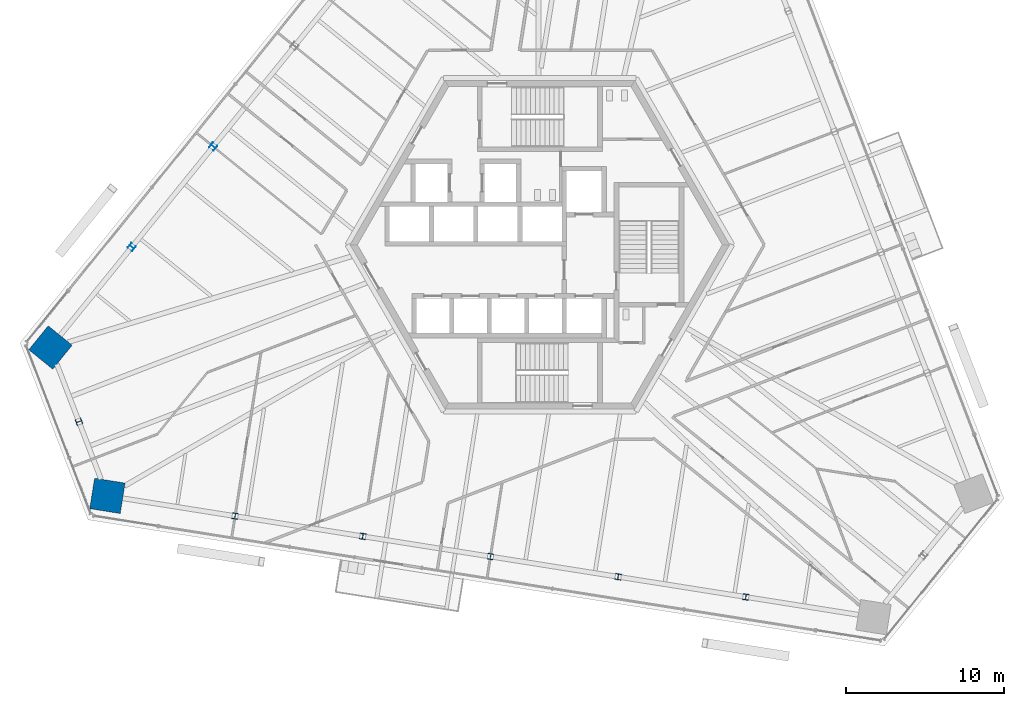
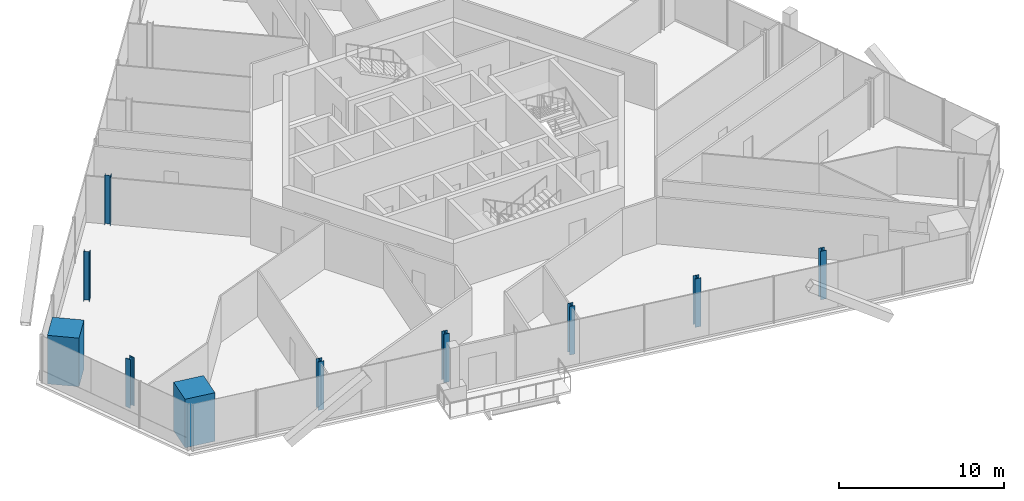
# One storey, part 1 of 19: 10 columns.
"""IFC4 building model written with IfcOpenShell, lengths in metres."""

from ifc_helpers import new_model, si_unit, direction, frame, origin, origin_2d, place, context, subcontext, project, spatial, rectangle, i_section, extrude, source, transform, mapped, material, material_profile, profile_set, type_object, element, save


model = new_model("IFC4")

# Units and contexts
model_context = context("Model", 3, precision=1e-05, world=origin(), true_north=direction((0.0, 1.0)))
body_context = subcontext(model_context, "Body", "Model", "MODEL_VIEW")
ifc_project = project(units=[si_unit("LENGTHUNIT", "METRE"), si_unit("AREAUNIT", "SQUARE_METRE"), si_unit("VOLUMEUNIT", "CUBIC_METRE"), si_unit("PLANEANGLEUNIT", "RADIAN"), si_unit("MASSUNIT", "GRAM", prefix="KILO")], contexts=[model_context])

# Site, building, storey
site_placement = place(None, origin())
site = spatial("IfcSite", under=ifc_project, at=site_placement, CompositionType="ELEMENT")
building_placement = place(site_placement, origin())
building = spatial("IfcBuilding", under=site, at=building_placement, Name="Triune Harvest Tower", CompositionType="ELEMENT")
storey_placement = place(building_placement, frame((0.0, 0.0, 142.5)))
storey = spatial("IfcBuildingStorey", under=building, at=storey_placement, Name="L36", CompositionType="ELEMENT", Elevation=142.5)

# Columns
ifc_material_1 = material(Name="Concrete 70 MPa", Category="concrete")
ifc_material_profile_1 = material_profile(ifc_material_1, rectangle(XDim=1.949951171875, YDim=1.949951171875, at=origin_2d()), Name="Composite 1950x1950")
ifc_profile_set_1 = profile_set([ifc_material_profile_1], Name="Concrete 70 MPa")
column_type_1 = type_object("IfcColumnType", Name="MC-4 Mega column Composite 1950x1950", PredefinedType="COLUMN", material=ifc_profile_set_1)
shared_shape_1 = source(origin(), body_context, "Body", "SweptSolid", [
    extrude(rectangle(XDim=1.949951171875, YDim=1.949951171875, at=origin_2d()), origin(), (0.0, 0.0, 1.0), 3.60009765625),
])
for number, where, z_axis, x_axis, name in (
    (1, (-30.947509765625, -6.4970703125, 0.0), (0.0, 0.0, 1.0), (-0.629321747424, -0.777144863084, 0.0), "col/L36/M14"),
    (2, (-27.345703125, -15.879638671875, 0.0), (0.0, 0.0, 1.0), (0.987688340595, -0.15643446504, 0.0), "col/L36/M16"),
):
    element("IfcColumn", number, at=place(storey_placement, frame(where, z_axis=z_axis, x_axis=x_axis)), inside=storey, type_object=column_type_1, Name=name, PredefinedType="COLUMN", context=body_context, shape_type="MappedRepresentation", body=[
        mapped(shared_shape_1, transform((0.0, 0.0, 0.0), scale=1.0)),
    ])
ifc_material_2 = material(Name="Steel ASTM A992 Gr 50", Category="steel")
ifc_material_profile_2 = material_profile(ifc_material_2, i_section(OverallWidth=0.373291015625, OverallDepth=0.373291015625, WebThickness=0.016357421875, FlangeThickness=0.026123046875, at=origin_2d()), Name="W14x132")
ifc_profile_set_2 = profile_set([ifc_material_profile_2], Name="Steel ASTM A992 Gr 50")
column_type_2 = type_object("IfcColumnType", Name="PC-4 Perimeter column W14x132", PredefinedType="COLUMN", material=ifc_profile_set_2)
shared_shape_2 = source(origin(), body_context, "Body", "SweptSolid", [
    extrude(i_section(OverallWidth=0.373291015625, OverallDepth=0.373291015625, WebThickness=0.016357421875, FlangeThickness=0.026123046875, at=origin_2d()), origin(), (0.0, 0.0, 1.0), 3.60009765625),
])
for number, where, z_axis, x_axis, name in (
    (3, (-20.657958984375, 6.209228515625, 0.0), (0.0, 0.0, 1.0), (-0.629321747424, -0.777144863084, 0.0), "col/L36/P12"),
    (4, (-25.802734375, -0.143798828125, 0.0), (0.0, 0.0, 1.0), (-0.629321747424, -0.777144863084, 0.0), "col/L36/P13"),
    (5, (-29.146484375, -11.188232421875, 0.0), (0.0, 0.0, 1.0), (0.35836632014, -0.933581051966, 0.0), "col/L36/P15"),
    (6, (-19.271484375, -17.158447265625, 0.0), (0.0, 0.0, 1.0), (0.987688340595, -0.15643446504, 0.0), "col/L36/P17"),
    (7, (-11.197021484375, -18.437255859375, 0.0), (0.0, 0.0, 1.0), (0.987688340595, -0.15643446504, 0.0), "col/L36/P18"),
    (8, (-3.122802734375, -19.716064453125, 0.0), (0.0, 0.0, 1.0), (0.987688340595, -0.15643446504, 0.0), "col/L36/P19"),
    (9, (4.95166015625, -20.9951171875, 0.0), (0.0, 0.0, 1.0), (0.987688340595, -0.15643446504, 0.0), "col/L36/P20"),
    (10, (13.02587890625, -22.27392578125, 0.0), (0.0, 0.0, 1.0), (0.987688340595, -0.15643446504, 0.0), "col/L36/P21"),
):
    element("IfcColumn", number, at=place(storey_placement, frame(where, z_axis=z_axis, x_axis=x_axis)), inside=storey, type_object=column_type_2, Name=name, PredefinedType="COLUMN", context=body_context, shape_type="MappedRepresentation", body=[
        mapped(shared_shape_2, transform((0.0, 0.0, 0.0), scale=1.0)),
    ])

save(model, "model.ifc")
